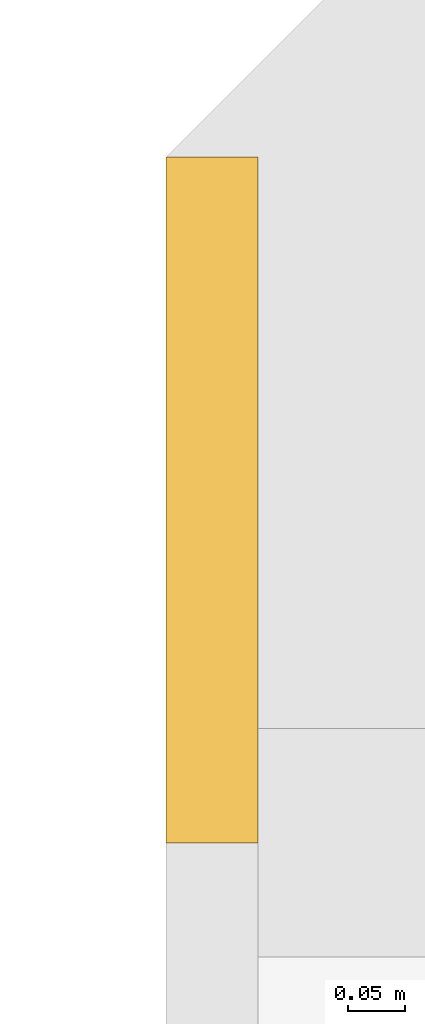
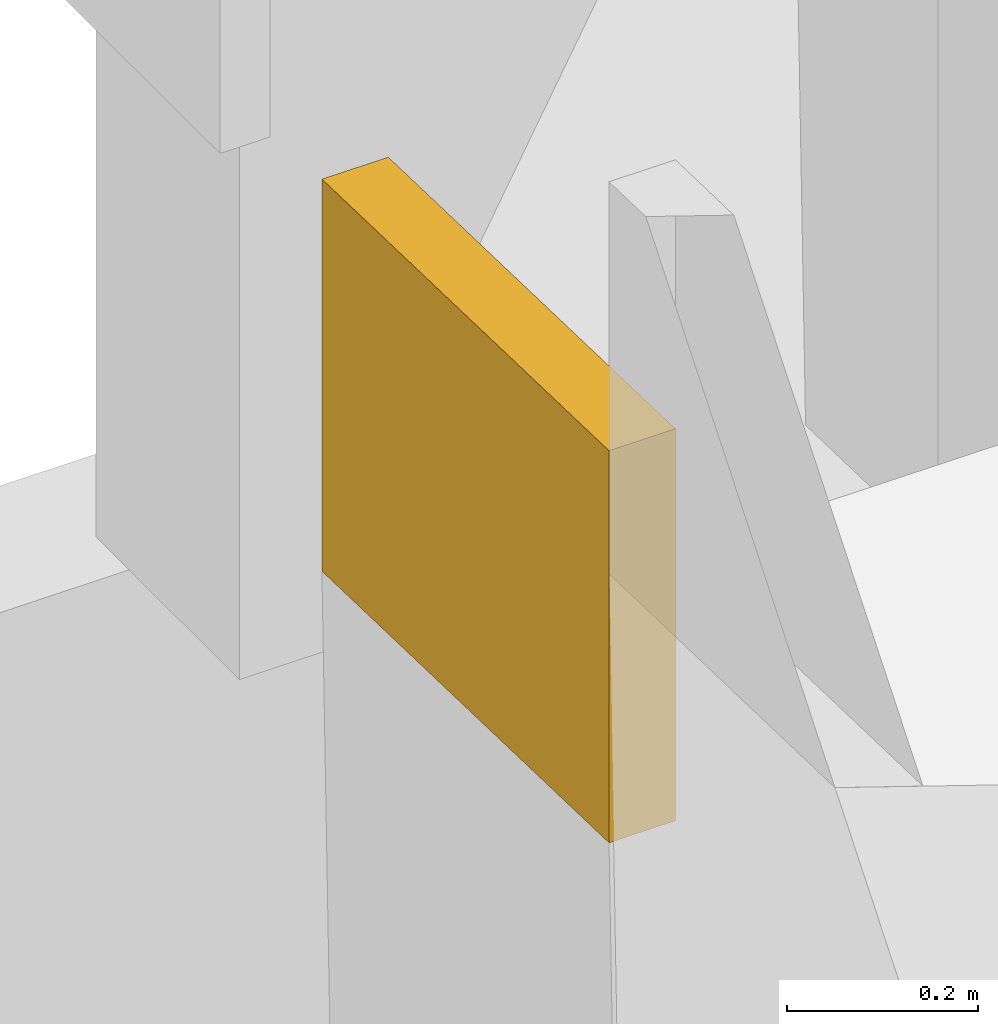
# One storey, part 28 of 29: 1 covering.
"""IFC4 building model written with IfcOpenShell, lengths in metres."""

from ifc_helpers import new_model, si_unit, direction, frame, origin, place, context, subcontext, project, spatial, polyline, outline, extrude, material, layer, layer_set, type_object, element, save


model = new_model("IFC4")

# Units and contexts
model_context = context("Model", 3, precision=1e-05, world=origin(), true_north=direction((0.0, 1.0)))
body_context = subcontext(model_context, "Body", "Model", "MODEL_VIEW")
ifc_project = project(units=[si_unit("LENGTHUNIT", "METRE"), si_unit("AREAUNIT", "SQUARE_METRE"), si_unit("VOLUMEUNIT", "CUBIC_METRE"), si_unit("PLANEANGLEUNIT", "RADIAN"), si_unit("MASSUNIT", "GRAM", prefix="KILO")], contexts=[model_context])

# Site, building, storey
site_placement = place(None, origin())
site = spatial("IfcSite", under=ifc_project, at=site_placement, CompositionType="ELEMENT")
building_placement = place(site_placement, origin())
building = spatial("IfcBuilding", under=site, at=building_placement, Name="Saffron Gate Tower", CompositionType="ELEMENT")
storey_placement = place(building_placement, frame((0.0, 0.0, 58.800048828125)))
storey = spatial("IfcBuildingStorey", under=building, at=storey_placement, Name="L13", CompositionType="ELEMENT", Elevation=58.800048828125)

# Covering
ifc_material = material(Name="Timber, thermally modified ash", Category="wood")
ifc_layer = layer(ifc_material, 0.080078125)
ifc_layer_set = layer_set([ifc_layer], Name="LD2 ledge planter trough")
covering_type = type_object("IfcCoveringType", Name="LD2 ledge planter trough", PredefinedType="CLADDING", material=ifc_layer_set)
covering_placement = place(storey_placement, frame((50.39990234375, 32.39990234375, 0.0595703125), z_axis=(-1.0, 0.0, 0.0), x_axis=(0.0, -0.999582742162, 0.028884971385)))
element("IfcCovering", 1, at=covering_placement, inside=storey, type_object=covering_type, Name="LEDGE planter trough", PredefinedType="CLADDING", context=body_context, shape_type="SweptSolid", body=[
    extrude(outline(polyline([(0.0, 0.0), (0.6001039136866089, 0.0), (0.614546399379222, 0.4997913710809928), (0.014442485692613144, 0.49979137108099286), (0.0, 0.0)])), origin(), (0.0, 0.0, -1.0), 0.080078125),
])

save(model, "model.ifc")
